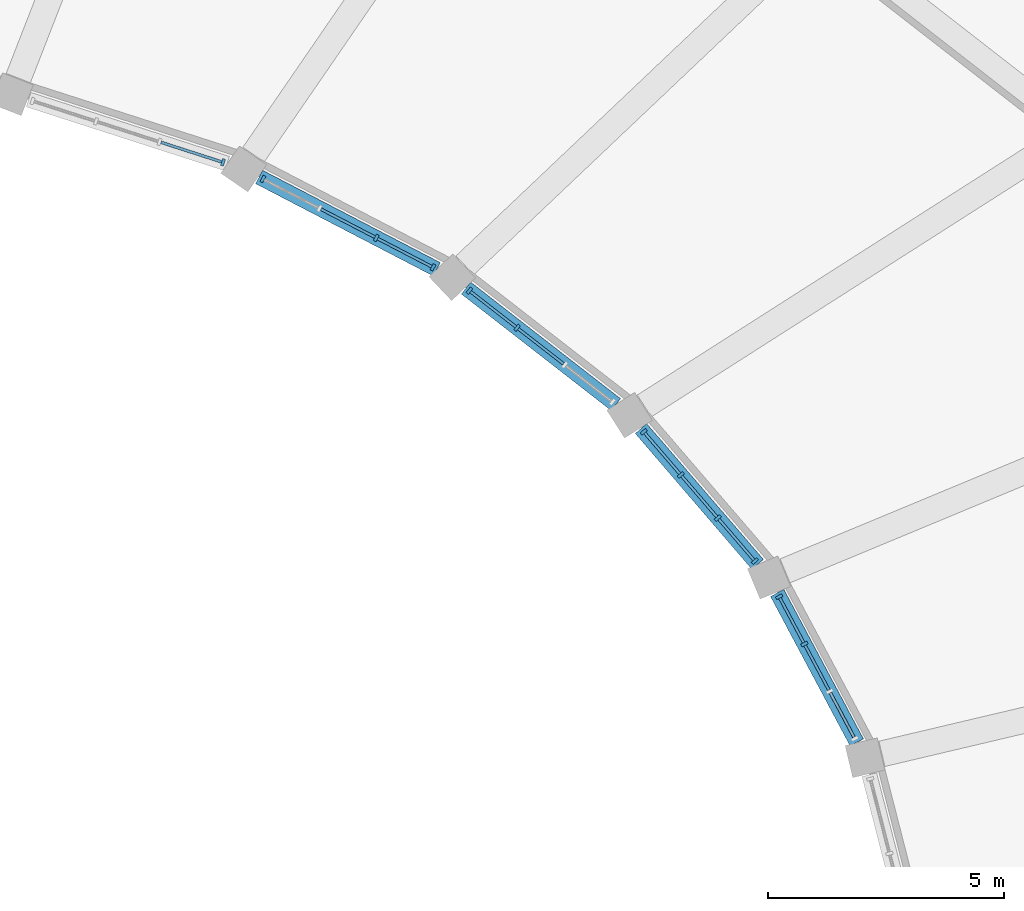
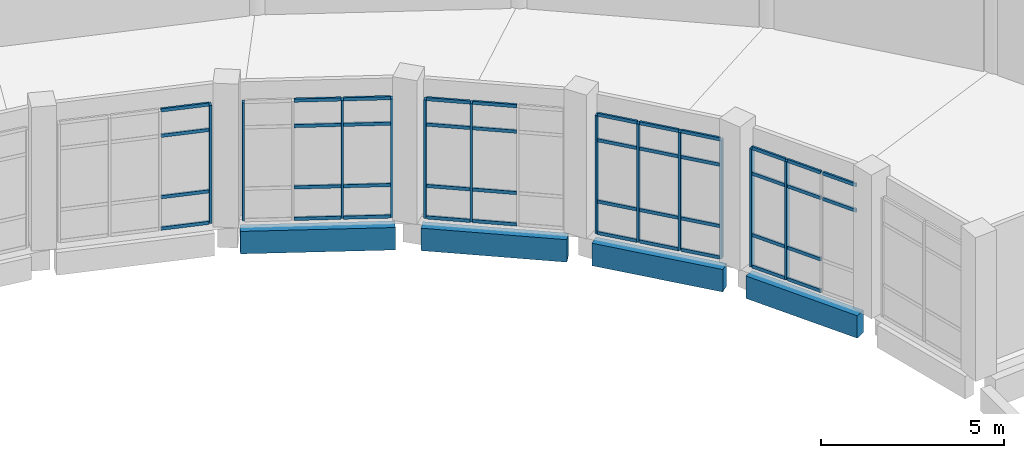
# One storey, part 43 of 179: 54 members, 4 beams, 5 elements without a shape of their own.
"""IFC4 building model written with IfcOpenShell, lengths in metres."""

import ifcopenshell
import ifcopenshell.guid

model = None  # the IFC model being written
_history = None  # IfcOwnerHistory: only IFC2X3 demands one
_inside = {}  # id of a spatial element -> (the spatial element, [elements in it])
_under = {}  # id of a project, library or spatial element -> (it, [spatial elements below it])
_declared = {}  # id of a project -> (the project, [libraries it declares])
_typed = {}  # id of a type object -> (the type object, [elements of that type])
_made_of = {}  # id of a material, layer set ... -> (it, [elements and type objects made of it])


def new_model(schema):
    """Start an empty IFC model of exactly this schema.

    Asked for "IFC4X3", IfcOpenShell would pick the latest addendum, in which some entities
    have other attributes; the version numbers below select the first issue.
    IFC2X3 requires an IfcOwnerHistory on every rooted entity: one is made here for all.
    """
    global model, _history
    if schema == "IFC4X3":
        model = ifcopenshell.file(schema_version=(4, 3, 0, 0))
    else:
        model = ifcopenshell.file(schema=schema)
    _inside.clear()
    _under.clear()
    _declared.clear()
    _typed.clear()
    _made_of.clear()
    _history = None
    if model.schema == "IFC2X3":
        org = make("IfcOrganization", Name="unknown")
        user = make(
            "IfcPersonAndOrganization",
            ThePerson=make("IfcPerson", FamilyName="unknown"),
            TheOrganization=org,
        )
        app = make(
            "IfcApplication",
            ApplicationDeveloper=org,
            Version="unknown",
            ApplicationFullName="unknown",
            ApplicationIdentifier="unknown",
        )
        _history = make(
            "IfcOwnerHistory",
            OwningUser=user,
            OwningApplication=app,
            ChangeAction="ADDED",
            CreationDate=0,
        )
    return model


def make(cls, **values):
    """One entity of the class cls with the attributes given. An attribute that is None is left unset."""
    return model.create_entity(
        cls, **{name: value for name, value in values.items() if value is not None}
    )


def rooted(cls, **values):
    """An entity with a GlobalId (a new one), such as an element, a storey or a relation."""
    return make(cls, GlobalId=ifcopenshell.guid.new(), OwnerHistory=_history, **values)


def si_unit(unit_type, name, prefix=None):
    """IfcSIUnit, for example si_unit("LENGTHUNIT", "METRE", prefix="MILLI")."""
    return make("IfcSIUnit", UnitType=unit_type, Prefix=prefix, Name=name)


def assignment(units):
    """IfcUnitAssignment: the units of a project."""
    return None if units is None else make("IfcUnitAssignment", Units=units)


def point(xyz):
    """IfcCartesianPoint."""
    return None if xyz is None else make("IfcCartesianPoint", Coordinates=xyz)


def direction(xyz):
    """IfcDirection."""
    return None if xyz is None else make("IfcDirection", DirectionRatios=xyz)


def frame(location, z_axis=None, x_axis=None):
    """IfcAxis2Placement3D, a coordinate frame: its origin and axes. An axis left out is left unset."""
    return make(
        "IfcAxis2Placement3D",
        Location=point(location),
        Axis=direction(z_axis),
        RefDirection=direction(x_axis),
    )


def frame_2d(location, x_axis=None):
    """IfcAxis2Placement2D, a coordinate frame in the plane: its origin and x axis."""
    return make(
        "IfcAxis2Placement2D", Location=point(location), RefDirection=direction(x_axis)
    )


def origin():
    """The frame at (0, 0, 0) with its axes left unset."""
    return frame((0.0, 0.0, 0.0))


def origin_2d():
    """The frame at (0, 0) in the plane with its x axis left unset."""
    return frame_2d((0.0, 0.0))


def place(relative_to, where):
    """IfcLocalPlacement: puts the frame where relative to a parent placement (None: the world)."""
    return make(
        "IfcLocalPlacement", PlacementRelTo=relative_to, RelativePlacement=where
    )


def context(
    kind, dimensions, precision=None, world=None, true_north=None, identifier=None
):
    """IfcGeometricRepresentationContext, for example the 3D "Model" context."""
    return make(
        "IfcGeometricRepresentationContext",
        ContextIdentifier=identifier,
        ContextType=kind,
        CoordinateSpaceDimension=dimensions,
        Precision=precision,
        WorldCoordinateSystem=world,
        TrueNorth=true_north,
    )


def subcontext(parent, identifier, kind, view, scale=None):
    """IfcGeometricRepresentationSubContext, for example "Body" below "Model"."""
    return make(
        "IfcGeometricRepresentationSubContext",
        ContextIdentifier=identifier,
        ContextType=kind,
        ParentContext=parent,
        TargetScale=scale,
        TargetView=view,
    )


def project(units=None, contexts=None):
    """IfcProject with its units and contexts."""
    return rooted(
        "IfcProject",
        Name="project",
        RepresentationContexts=contexts,
        UnitsInContext=assignment(units),
    )


def spatial(cls, under=None, at=None, **own):
    """A site, building, storey or space (cls), placed at a placement, below another one or the project."""
    s = rooted(cls, ObjectPlacement=at, **own)
    if under is not None:
        _under.setdefault(under.id(), (under, []))[1].append(s)
    return s


def profile(cls, at=None, kind="AREA", **sizes):
    """A parametric profile (cls). Its sizes go by their IFC names, for example OverallWidth=200.0."""
    return make(cls, ProfileType=kind, Position=at, **sizes)


def rectangle(**sizes):
    """IfcRectangleProfileDef."""
    return profile("IfcRectangleProfileDef", **sizes)


def extrude(swept, where, along, depth):
    """IfcExtrudedAreaSolid: the profile swept, set in the frame where, extruded along a direction by depth."""
    return make(
        "IfcExtrudedAreaSolid",
        SweptArea=swept,
        Position=where,
        ExtrudedDirection=direction(along),
        Depth=depth,
    )


def shape(context_of_items, identifier, shape_type, items):
    """IfcShapeRepresentation: the items that make up one representation, for example the "Body"."""
    return make(
        "IfcShapeRepresentation",
        ContextOfItems=context_of_items,
        RepresentationIdentifier=identifier,
        RepresentationType=shape_type,
        Items=items,
    )


def material(Name=None, Category=None):
    """IfcMaterial."""
    return make("IfcMaterial", Name=Name, Category=Category)


def layer(
    of_material, thickness, ventilated=None, Name=None, Category=None, Priority=None
):
    """IfcMaterialLayer: one layer of a wall or slab, of a material (None: an air gap)."""
    return make(
        "IfcMaterialLayer",
        Material=of_material,
        LayerThickness=thickness,
        IsVentilated=ventilated,
        Name=Name,
        Category=Category,
        Priority=Priority,
    )


def layer_set(layers, Name=None):
    """IfcMaterialLayerSet."""
    return make("IfcMaterialLayerSet", MaterialLayers=layers, LayerSetName=Name)


def material_profile(
    of_material, cross_section, Name=None, Category=None, Priority=None
):
    """IfcMaterialProfile: a cross section and its material."""
    return make(
        "IfcMaterialProfile",
        Name=Name,
        Material=of_material,
        Profile=cross_section,
        Priority=Priority,
        Category=Category,
    )


def profile_set(profiles, Name=None, composite=None):
    """IfcMaterialProfileSet."""
    return make(
        "IfcMaterialProfileSet",
        Name=Name,
        MaterialProfiles=profiles,
        CompositeProfile=composite,
    )


def made_of(thing, what):
    """Note that an element or type object is made of a material, layer set ...; save() writes the relation."""
    if what is not None:
        _made_of.setdefault(what.id(), (what, []))[1].append(thing)
    return thing


def type_object(cls, material=None, **own):
    """A type object (cls), such as IfcWallType, which elements share."""
    return made_of(rooted(cls, **own), material)


def element(
    cls,
    number,
    at=None,
    inside=None,
    cuts=None,
    type_object=None,
    material=None,
    context=None,
    identifier="Body",
    shape_type=None,
    held_by="IfcProductDefinitionShape",
    body=None,
    shapes=None,
    **own,
):
    """One element of the class cls, such as IfcWall. Its Tag is "e" and its number.

    at: its placement. inside: the storey or other place that contains it. cuts: it is an
    opening in that element (IfcRelVoidsElement). A single representation is given by context,
    identifier, shape_type and body (its items); several are given by shapes. held_by: the class
    of the entity that holds the representations. save() writes the other relations.
    """
    e = rooted(cls, Tag="e%d" % number, ObjectPlacement=at, **own)
    if body is not None:
        shapes = [shape(context, identifier, shape_type, body)]
    if shapes is not None:
        e.Representation = make(held_by, Representations=shapes)
    if inside is not None:
        _inside.setdefault(inside.id(), (inside, []))[1].append(e)
    if cuts is not None:
        rooted(
            "IfcRelVoidsElement", RelatingBuildingElement=cuts, RelatedOpeningElement=e
        )
    if type_object is not None:
        _typed.setdefault(type_object.id(), (type_object, []))[1].append(e)
    return made_of(e, material)


def aggregate(whole, parts):
    """IfcRelAggregates: a whole, such as a stair, and the parts it consists of."""
    return rooted("IfcRelAggregates", RelatingObject=whole, RelatedObjects=parts)


def save(model, path):
    """Write the relations noted so far, then the file.

    IfcRelAggregates (storeys below a building ...), IfcRelContainedInSpatialStructure (elements
    in a storey), IfcRelDefinesByType, IfcRelAssociatesMaterial and IfcRelDeclares: one each for
    every whole, place, type object, material and project.
    """
    for whole, parts in _under.values():
        aggregate(whole, parts)
    for where, things in _inside.values():
        rooted(
            "IfcRelContainedInSpatialStructure",
            RelatedElements=things,
            RelatingStructure=where,
        )
    for kind, things in _typed.values():
        rooted("IfcRelDefinesByType", RelatedObjects=things, RelatingType=kind)
    for what, things in _made_of.values():
        rooted("IfcRelAssociatesMaterial", RelatedObjects=things, RelatingMaterial=what)
    for by, libraries in _declared.values():
        rooted("IfcRelDeclares", RelatingContext=by, RelatedDefinitions=libraries)
    model.write(path)


model = new_model("IFC4")

# Units and contexts
model_context = context("Model", 3, precision=1e-05, world=origin(), true_north=direction((0.0, 1.0)))
body_context = subcontext(model_context, "Body", "Model", "MODEL_VIEW")
ifc_project = project(units=[si_unit("LENGTHUNIT", "METRE"), si_unit("AREAUNIT", "SQUARE_METRE"), si_unit("VOLUMEUNIT", "CUBIC_METRE"), si_unit("PLANEANGLEUNIT", "RADIAN"), si_unit("MASSUNIT", "GRAM", prefix="KILO")], contexts=[model_context])

# Site, building, storey
site_placement = place(None, origin())
site = spatial("IfcSite", under=ifc_project, at=site_placement, CompositionType="ELEMENT")
building_placement = place(site_placement, origin())
building = spatial("IfcBuilding", under=site, at=building_placement, Name="Corvandel Quay Wholesale Market", CompositionType="ELEMENT")
storey_placement = place(building_placement, frame((0.0, 0.0, 6.0)))
storey = spatial("IfcBuildingStorey", under=building, at=storey_placement, Name="L01", CompositionType="ELEMENT", Elevation=6.0)

# Curtain wall, members
ifc_material_1 = material(Name="Bronze anodised aluminium and low-E insulated glazing", Category="aluminium")
ifc_layer_1 = layer(ifc_material_1, 0.162109375)
ifc_layer_set_1 = layer_set([ifc_layer_1], Name="Bronze anodised aluminium and low-E insulated glazing")
curtain_wall_type_1 = type_object("IfcCurtainWallType", Name="Stick Curtain Wall System CW16 H4440", PredefinedType="NOTDEFINED", material=ifc_layer_set_1)
curtain_wall_1_placement = place(storey_placement, origin())
curtain_wall_1 = element("IfcCurtainWall", 1, at=curtain_wall_1_placement, inside=storey, type_object=curtain_wall_type_1, Name="Curtain Wall CW-0004", PredefinedType="NOTDEFINED")
ifc_material_2 = material(Name="Anodised aluminium 6063-T6", Category="aluminium")
ifc_material_profile_1 = material_profile(ifc_material_2, rectangle(XDim=0.06494140625, YDim=0.14990234375, at=origin_2d()), Name="ALU-MUL-65x150")
ifc_profile_set_1 = profile_set([ifc_material_profile_1], Name="Anodised aluminium 6063-T6")
member_type_1 = type_object("IfcMemberType", Name="Curtain Wall Mullion ML02 65x150", PredefinedType="MULLION", material=ifc_profile_set_1)
member_1_placement = place(storey_placement, frame((138.677490234375, 50.53759765625, 0.0), z_axis=(0.0, 0.0, 1.0), x_axis=(-0.469933808689, 0.882701657102, 0.0)))
member_1 = element("IfcMember", 2, at=member_1_placement, type_object=member_type_1, Name="Mullion CW-0004-M02", PredefinedType="MULLION", context=body_context, shape_type="SweptSolid", body=[
    extrude(rectangle(XDim=0.06494140625, YDim=0.14990234375, at=origin_2d()), origin(), (0.0, 0.0, 1.0), 3.949951171875),
])
member_2_placement = place(storey_placement, frame((138.143310546875, 51.541015625, 0.0), z_axis=(0.0, 0.0, 1.0), x_axis=(-0.469933808689, 0.882701657102, 0.0)))
member_2 = element("IfcMember", 3, at=member_2_placement, type_object=member_type_1, Name="Mullion CW-0004-M03", PredefinedType="MULLION", context=body_context, shape_type="SweptSolid", body=[
    extrude(rectangle(XDim=0.06494140625, YDim=0.14990234375, at=origin_2d()), origin(), (0.0, 0.0, 1.0), 3.949951171875),
])

ifc_layer_2 = layer(ifc_material_1, 0.174072265625)
ifc_layer_set_2 = layer_set([ifc_layer_2], Name="Bronze anodised aluminium and low-E insulated glazing")
curtain_wall_type_2 = type_object("IfcCurtainWallType", Name="Stick Curtain Wall System CW17 H4530", PredefinedType="NOTDEFINED", material=ifc_layer_set_2)
curtain_wall_2_placement = place(storey_placement, origin())
curtain_wall_2 = element("IfcCurtainWall", 4, at=curtain_wall_2_placement, inside=storey, type_object=curtain_wall_type_2, Name="Curtain Wall CW-0007", PredefinedType="NOTDEFINED")
member_3_placement = place(storey_placement, frame((137.627197265625, 52.2958984375, 0.0), z_axis=(0.0, 0.0, 1.0), x_axis=(-0.651568967347, 0.758589401976, 0.0)))
member_3 = element("IfcMember", 5, at=member_3_placement, type_object=member_type_1, Name="Mullion CW-0007-M00", PredefinedType="MULLION", context=body_context, shape_type="SweptSolid", body=[
    extrude(rectangle(XDim=0.06494140625, YDim=0.14990234375, at=origin_2d()), origin(), (0.0, 0.0, 1.0), 3.949951171875),
])
member_4_placement = place(storey_placement, frame((136.842041015625, 53.2099609375, 0.0), z_axis=(0.0, 0.0, 1.0), x_axis=(-0.651568967347, 0.758589401976, 0.0)))
member_4 = element("IfcMember", 6, at=member_4_placement, type_object=member_type_1, Name="Mullion CW-0007-M01", PredefinedType="MULLION", context=body_context, shape_type="SweptSolid", body=[
    extrude(rectangle(XDim=0.06494140625, YDim=0.14990234375, at=origin_2d()), origin(), (0.0, 0.0, 1.0), 3.949951171875),
])
member_5_placement = place(storey_placement, frame((136.056884765625, 54.1240234375, 0.0), z_axis=(0.0, 0.0, 1.0), x_axis=(-0.651568967347, 0.758589401976, 0.0)))
member_5 = element("IfcMember", 7, at=member_5_placement, type_object=member_type_1, Name="Mullion CW-0007-M02", PredefinedType="MULLION", context=body_context, shape_type="SweptSolid", body=[
    extrude(rectangle(XDim=0.06494140625, YDim=0.14990234375, at=origin_2d()), origin(), (0.0, 0.0, 1.0), 3.949951171875),
])
member_6_placement = place(storey_placement, frame((135.271728515625, 55.0380859375, 0.0), z_axis=(0.0, 0.0, 1.0), x_axis=(-0.651568967347, 0.758589401976, 0.0)))
member_6 = element("IfcMember", 8, at=member_6_placement, type_object=member_type_1, Name="Mullion CW-0007-M03", PredefinedType="MULLION", context=body_context, shape_type="SweptSolid", body=[
    extrude(rectangle(XDim=0.06494140625, YDim=0.14990234375, at=origin_2d()), origin(), (0.0, 0.0, 1.0), 3.949951171875),
])

ifc_layer_3 = layer(ifc_material_1, 0.18603515625)
ifc_layer_set_3 = layer_set([ifc_layer_3], Name="Bronze anodised aluminium and low-E insulated glazing")
curtain_wall_type_3 = type_object("IfcCurtainWallType", Name="Stick Curtain Wall System CW18 H4620", PredefinedType="NOTDEFINED", material=ifc_layer_set_3)
curtain_wall_3_placement = place(storey_placement, origin())
curtain_wall_3 = element("IfcCurtainWall", 9, at=curtain_wall_3_placement, inside=storey, type_object=curtain_wall_type_3, Name="Curtain Wall CW-0010", PredefinedType="NOTDEFINED")
member_7_placement = place(storey_placement, frame((132.585693359375, 57.242919921875, 0.0), z_axis=(0.0, 0.0, 1.0), x_axis=(-0.789405615633, 0.613871952452, 0.0)))
member_7 = element("IfcMember", 10, at=member_7_placement, type_object=member_type_1, Name="Mullion CW-0010-M02", PredefinedType="MULLION", context=body_context, shape_type="SweptSolid", body=[
    extrude(rectangle(XDim=0.06494140625, YDim=0.14990234375, at=origin_2d()), origin(), (0.0, 0.0, 1.0), 3.949951171875),
])
member_8_placement = place(storey_placement, frame((131.57421875, 58.029541015625, 0.0), z_axis=(0.0, 0.0, 1.0), x_axis=(-0.789405615633, 0.613871952452, 0.0)))
member_8 = element("IfcMember", 11, at=member_8_placement, type_object=member_type_1, Name="Mullion CW-0010-M03", PredefinedType="MULLION", context=body_context, shape_type="SweptSolid", body=[
    extrude(rectangle(XDim=0.06494140625, YDim=0.14990234375, at=origin_2d()), origin(), (0.0, 0.0, 1.0), 3.949951171875),
])

ifc_layer_4 = layer(ifc_material_1, 0.197998046875)
ifc_layer_set_4 = layer_set([ifc_layer_4], Name="Bronze anodised aluminium and low-E insulated glazing")
curtain_wall_type_4 = type_object("IfcCurtainWallType", Name="Stick Curtain Wall System CW19 H4710", PredefinedType="NOTDEFINED", material=ifc_layer_set_4)
curtain_wall_4_placement = place(storey_placement, origin())
curtain_wall_4 = element("IfcCurtainWall", 12, at=curtain_wall_4_placement, inside=storey, type_object=curtain_wall_type_4, Name="Curtain Wall CW-0014", PredefinedType="NOTDEFINED")
member_9_placement = place(storey_placement, frame((130.802734375, 58.524169921875, 0.0), z_axis=(0.0, 0.0, 1.0), x_axis=(-0.887332978338, 0.461129250378, 0.0)))
member_9 = element("IfcMember", 13, at=member_9_placement, type_object=member_type_1, Name="Mullion CW-0014-M00", PredefinedType="MULLION", context=body_context, shape_type="SweptSolid", body=[
    extrude(rectangle(XDim=0.06494140625, YDim=0.14990234375, at=origin_2d()), origin(), (0.0, 0.0, 1.0), 3.949951171875),
])
member_10_placement = place(storey_placement, frame((129.600830078125, 59.148681640625, 0.0), z_axis=(0.0, 0.0, 1.0), x_axis=(-0.887332978338, 0.461129250378, 0.0)))
member_10 = element("IfcMember", 14, at=member_10_placement, type_object=member_type_1, Name="Mullion CW-0014-M01", PredefinedType="MULLION", context=body_context, shape_type="SweptSolid", body=[
    extrude(rectangle(XDim=0.06494140625, YDim=0.14990234375, at=origin_2d()), origin(), (0.0, 0.0, 1.0), 3.949951171875),
])
member_11_placement = place(storey_placement, frame((127.197265625, 60.39794921875, 0.0), z_axis=(0.0, 0.0, 1.0), x_axis=(-0.887332978338, 0.461129250378, 0.0)))
member_11 = element("IfcMember", 15, at=member_11_placement, type_object=member_type_1, Name="Mullion CW-0014-M03", PredefinedType="MULLION", context=body_context, shape_type="SweptSolid", body=[
    extrude(rectangle(XDim=0.06494140625, YDim=0.14990234375, at=origin_2d()), origin(), (0.0, 0.0, 1.0), 3.949951171875),
])

# Curtain wall, member
ifc_layer_5 = layer(ifc_material_1, 0.14990234375)
ifc_layer_set_5 = layer_set([ifc_layer_5], Name="Bronze anodised aluminium and low-E insulated glazing")
curtain_wall_type_5 = type_object("IfcCurtainWallType", Name="Stick Curtain Wall System CW20 H4800", PredefinedType="NOTDEFINED", material=ifc_layer_set_5)
curtain_wall_5_placement = place(storey_placement, origin())
curtain_wall_5 = element("IfcCurtainWall", 16, at=curtain_wall_5_placement, inside=storey, type_object=curtain_wall_type_5, Name="Curtain Wall CW-0016", PredefinedType="NOTDEFINED")
member_12_placement = place(storey_placement, frame((126.351318359375, 60.751220703125, 0.0), z_axis=(0.0, 0.0, 1.0), x_axis=(-0.951808747363, 0.306692204733, 0.0)))
member_12 = element("IfcMember", 17, at=member_12_placement, type_object=member_type_1, Name="Mullion CW-0016-M00", PredefinedType="MULLION", context=body_context, shape_type="SweptSolid", body=[
    extrude(rectangle(XDim=0.06494140625, YDim=0.14990234375, at=origin_2d()), origin(), (0.0, 0.0, 1.0), 3.949951171875),
])

# Member
ifc_material_profile_2 = material_profile(ifc_material_2, rectangle(XDim=0.06005859375, YDim=0.110107421875, at=origin_2d()), Name="ALU-TRN-60x110")
ifc_profile_set_2 = profile_set([ifc_material_profile_2], Name="Anodised aluminium 6063-T6")
member_type_2 = type_object("IfcMemberType", Name="Curtain Wall Transom TR02 60x110", PredefinedType="USERDEFINED", material=ifc_profile_set_2)
member_13_placement = place(storey_placement, frame((139.73046875, 48.559814453125, 3.10009765625), z_axis=(-0.470032340341, 0.88264919364, 0.0), x_axis=(-0.88264919364, -0.470032340341, 0.0)))
member_13 = element("IfcMember", 18, at=member_13_placement, type_object=member_type_2, Name="Transom CW-0004-T00-2", ObjectType="TRANSOM", PredefinedType="USERDEFINED", context=body_context, shape_type="SweptSolid", body=[
    extrude(rectangle(XDim=0.06005859375, YDim=0.110107421875, at=origin_2d()), origin(), (0.0, 0.0, 1.0), 1.071533203125),
])

member_14_placement = place(storey_placement, frame((139.73046875, 48.559814453125, 3.949951171875), z_axis=(-0.470032340341, 0.88264919364, 0.0), x_axis=(-0.88264919364, -0.470032340341, 0.0)))
member_14 = element("IfcMember", 19, at=member_14_placement, type_object=member_type_2, Name="Transom CW-0004-T00-3", ObjectType="TRANSOM", PredefinedType="USERDEFINED", context=body_context, shape_type="SweptSolid", body=[
    extrude(rectangle(XDim=0.06005859375, YDim=0.110107421875, at=origin_2d()), origin(), (0.0, 0.0, 1.0), 1.071533203125),
])

member_15_placement = place(storey_placement, frame((139.1962890625, 49.56298828125, 0.0), z_axis=(-0.470032340341, 0.88264919364, 0.0), x_axis=(-0.88264919364, -0.470032340341, 0.0)))
member_15 = element("IfcMember", 20, at=member_15_placement, type_object=member_type_2, Name="Transom CW-0004-T01-0", ObjectType="TRANSOM", PredefinedType="USERDEFINED", context=body_context, shape_type="SweptSolid", body=[
    extrude(rectangle(XDim=0.06005859375, YDim=0.110107421875, at=origin_2d()), origin(), (0.0, 0.0, 1.0), 1.071533203125),
])

member_16_placement = place(storey_placement, frame((139.1962890625, 49.56298828125, 1.050048828125), z_axis=(-0.470032340341, 0.88264919364, 0.0), x_axis=(-0.88264919364, -0.470032340341, 0.0)))
member_16 = element("IfcMember", 21, at=member_16_placement, type_object=member_type_2, Name="Transom CW-0004-T01-1", ObjectType="TRANSOM", PredefinedType="USERDEFINED", context=body_context, shape_type="SweptSolid", body=[
    extrude(rectangle(XDim=0.06005859375, YDim=0.110107421875, at=origin_2d()), origin(), (0.0, 0.0, 1.0), 1.071533203125),
])

member_17_placement = place(storey_placement, frame((139.1962890625, 49.56298828125, 3.10009765625), z_axis=(-0.470032340341, 0.88264919364, 0.0), x_axis=(-0.88264919364, -0.470032340341, 0.0)))
member_17 = element("IfcMember", 22, at=member_17_placement, type_object=member_type_2, Name="Transom CW-0004-T01-2", ObjectType="TRANSOM", PredefinedType="USERDEFINED", context=body_context, shape_type="SweptSolid", body=[
    extrude(rectangle(XDim=0.06005859375, YDim=0.110107421875, at=origin_2d()), origin(), (0.0, 0.0, 1.0), 1.071533203125),
])

member_18_placement = place(storey_placement, frame((139.1962890625, 49.56298828125, 3.949951171875), z_axis=(-0.470032340341, 0.88264919364, 0.0), x_axis=(-0.88264919364, -0.470032340341, 0.0)))
member_18 = element("IfcMember", 23, at=member_18_placement, type_object=member_type_2, Name="Transom CW-0004-T01-3", ObjectType="TRANSOM", PredefinedType="USERDEFINED", context=body_context, shape_type="SweptSolid", body=[
    extrude(rectangle(XDim=0.06005859375, YDim=0.110107421875, at=origin_2d()), origin(), (0.0, 0.0, 1.0), 1.071533203125),
])

member_19_placement = place(storey_placement, frame((138.662109375, 50.56640625, 0.0), z_axis=(-0.470032340341, 0.88264919364, 0.0), x_axis=(-0.88264919364, -0.470032340341, 0.0)))
member_19 = element("IfcMember", 24, at=member_19_placement, type_object=member_type_2, Name="Transom CW-0004-T02-0", ObjectType="TRANSOM", PredefinedType="USERDEFINED", context=body_context, shape_type="SweptSolid", body=[
    extrude(rectangle(XDim=0.06005859375, YDim=0.110107421875, at=origin_2d()), origin(), (0.0, 0.0, 1.0), 1.071533203125),
])

member_20_placement = place(storey_placement, frame((138.662109375, 50.56640625, 1.050048828125), z_axis=(-0.470032340341, 0.88264919364, 0.0), x_axis=(-0.88264919364, -0.470032340341, 0.0)))
member_20 = element("IfcMember", 25, at=member_20_placement, type_object=member_type_2, Name="Transom CW-0004-T02-1", ObjectType="TRANSOM", PredefinedType="USERDEFINED", context=body_context, shape_type="SweptSolid", body=[
    extrude(rectangle(XDim=0.06005859375, YDim=0.110107421875, at=origin_2d()), origin(), (0.0, 0.0, 1.0), 1.071533203125),
])

member_21_placement = place(storey_placement, frame((138.662109375, 50.56640625, 3.10009765625), z_axis=(-0.470032340341, 0.88264919364, 0.0), x_axis=(-0.88264919364, -0.470032340341, 0.0)))
member_21 = element("IfcMember", 26, at=member_21_placement, type_object=member_type_2, Name="Transom CW-0004-T02-2", ObjectType="TRANSOM", PredefinedType="USERDEFINED", context=body_context, shape_type="SweptSolid", body=[
    extrude(rectangle(XDim=0.06005859375, YDim=0.110107421875, at=origin_2d()), origin(), (0.0, 0.0, 1.0), 1.071533203125),
])

member_22_placement = place(storey_placement, frame((138.662109375, 50.56640625, 3.949951171875), z_axis=(-0.470032340341, 0.88264919364, 0.0), x_axis=(-0.88264919364, -0.470032340341, 0.0)))
member_22 = element("IfcMember", 27, at=member_22_placement, type_object=member_type_2, Name="Transom CW-0004-T02-3", ObjectType="TRANSOM", PredefinedType="USERDEFINED", context=body_context, shape_type="SweptSolid", body=[
    extrude(rectangle(XDim=0.06005859375, YDim=0.110107421875, at=origin_2d()), origin(), (0.0, 0.0, 1.0), 1.071533203125),
])

aggregate(curtain_wall_1, [member_1, member_2, member_13, member_14, member_15, member_16, member_17, member_18, member_19, member_20, member_21, member_22])

member_23_placement = place(storey_placement, frame((137.60595703125, 52.320556640625, 0.0), z_axis=(-0.651531870311, 0.758621263853, 0.0), x_axis=(-0.758621263853, -0.651531870311, 0.0)))
member_23 = element("IfcMember", 28, at=member_23_placement, type_object=member_type_2, Name="Transom CW-0007-T00-0", ObjectType="TRANSOM", PredefinedType="USERDEFINED", context=body_context, shape_type="SweptSolid", body=[
    extrude(rectangle(XDim=0.06005859375, YDim=0.110107421875, at=origin_2d()), origin(), (0.0, 0.0, 1.0), 1.139892578125),
])

member_24_placement = place(storey_placement, frame((137.60595703125, 52.320556640625, 1.050048828125), z_axis=(-0.651531870311, 0.758621263853, 0.0), x_axis=(-0.758621263853, -0.651531870311, 0.0)))
member_24 = element("IfcMember", 29, at=member_24_placement, type_object=member_type_2, Name="Transom CW-0007-T00-1", ObjectType="TRANSOM", PredefinedType="USERDEFINED", context=body_context, shape_type="SweptSolid", body=[
    extrude(rectangle(XDim=0.06005859375, YDim=0.110107421875, at=origin_2d()), origin(), (0.0, 0.0, 1.0), 1.139892578125),
])

member_25_placement = place(storey_placement, frame((137.60595703125, 52.320556640625, 3.10009765625), z_axis=(-0.651531870311, 0.758621263853, 0.0), x_axis=(-0.758621263853, -0.651531870311, 0.0)))
member_25 = element("IfcMember", 30, at=member_25_placement, type_object=member_type_2, Name="Transom CW-0007-T00-2", ObjectType="TRANSOM", PredefinedType="USERDEFINED", context=body_context, shape_type="SweptSolid", body=[
    extrude(rectangle(XDim=0.06005859375, YDim=0.110107421875, at=origin_2d()), origin(), (0.0, 0.0, 1.0), 1.139892578125),
])

member_26_placement = place(storey_placement, frame((137.60595703125, 52.320556640625, 3.949951171875), z_axis=(-0.651531870311, 0.758621263853, 0.0), x_axis=(-0.758621263853, -0.651531870311, 0.0)))
member_26 = element("IfcMember", 31, at=member_26_placement, type_object=member_type_2, Name="Transom CW-0007-T00-3", ObjectType="TRANSOM", PredefinedType="USERDEFINED", context=body_context, shape_type="SweptSolid", body=[
    extrude(rectangle(XDim=0.06005859375, YDim=0.110107421875, at=origin_2d()), origin(), (0.0, 0.0, 1.0), 1.139892578125),
])

member_27_placement = place(storey_placement, frame((136.82080078125, 53.234619140625, 0.0), z_axis=(-0.651531870311, 0.758621263853, 0.0), x_axis=(-0.758621263853, -0.651531870311, 0.0)))
member_27 = element("IfcMember", 32, at=member_27_placement, type_object=member_type_2, Name="Transom CW-0007-T01-0", ObjectType="TRANSOM", PredefinedType="USERDEFINED", context=body_context, shape_type="SweptSolid", body=[
    extrude(rectangle(XDim=0.06005859375, YDim=0.110107421875, at=origin_2d()), origin(), (0.0, 0.0, 1.0), 1.139892578125),
])

member_28_placement = place(storey_placement, frame((136.82080078125, 53.234619140625, 1.050048828125), z_axis=(-0.651531870311, 0.758621263853, 0.0), x_axis=(-0.758621263853, -0.651531870311, 0.0)))
member_28 = element("IfcMember", 33, at=member_28_placement, type_object=member_type_2, Name="Transom CW-0007-T01-1", ObjectType="TRANSOM", PredefinedType="USERDEFINED", context=body_context, shape_type="SweptSolid", body=[
    extrude(rectangle(XDim=0.06005859375, YDim=0.110107421875, at=origin_2d()), origin(), (0.0, 0.0, 1.0), 1.139892578125),
])

member_29_placement = place(storey_placement, frame((136.82080078125, 53.234619140625, 3.10009765625), z_axis=(-0.651531870311, 0.758621263853, 0.0), x_axis=(-0.758621263853, -0.651531870311, 0.0)))
member_29 = element("IfcMember", 34, at=member_29_placement, type_object=member_type_2, Name="Transom CW-0007-T01-2", ObjectType="TRANSOM", PredefinedType="USERDEFINED", context=body_context, shape_type="SweptSolid", body=[
    extrude(rectangle(XDim=0.06005859375, YDim=0.110107421875, at=origin_2d()), origin(), (0.0, 0.0, 1.0), 1.139892578125),
])

member_30_placement = place(storey_placement, frame((136.82080078125, 53.234619140625, 3.949951171875), z_axis=(-0.651531870311, 0.758621263853, 0.0), x_axis=(-0.758621263853, -0.651531870311, 0.0)))
member_30 = element("IfcMember", 35, at=member_30_placement, type_object=member_type_2, Name="Transom CW-0007-T01-3", ObjectType="TRANSOM", PredefinedType="USERDEFINED", context=body_context, shape_type="SweptSolid", body=[
    extrude(rectangle(XDim=0.06005859375, YDim=0.110107421875, at=origin_2d()), origin(), (0.0, 0.0, 1.0), 1.139892578125),
])

member_31_placement = place(storey_placement, frame((136.035888671875, 54.148681640625, 0.0), z_axis=(-0.651655105738, 0.758515407336, 0.0), x_axis=(-0.758515407336, -0.651655105738, 0.0)))
member_31 = element("IfcMember", 36, at=member_31_placement, type_object=member_type_2, Name="Transom CW-0007-T02-0", ObjectType="TRANSOM", PredefinedType="USERDEFINED", context=body_context, shape_type="SweptSolid", body=[
    extrude(rectangle(XDim=0.06005859375, YDim=0.110107421875, at=origin_2d()), origin(), (0.0, 0.0, 1.0), 1.14013671875),
])

member_32_placement = place(storey_placement, frame((136.035888671875, 54.148681640625, 1.050048828125), z_axis=(-0.651655105738, 0.758515407336, 0.0), x_axis=(-0.758515407336, -0.651655105738, 0.0)))
member_32 = element("IfcMember", 37, at=member_32_placement, type_object=member_type_2, Name="Transom CW-0007-T02-1", ObjectType="TRANSOM", PredefinedType="USERDEFINED", context=body_context, shape_type="SweptSolid", body=[
    extrude(rectangle(XDim=0.06005859375, YDim=0.110107421875, at=origin_2d()), origin(), (0.0, 0.0, 1.0), 1.14013671875),
])

member_33_placement = place(storey_placement, frame((136.035888671875, 54.148681640625, 3.10009765625), z_axis=(-0.651655105738, 0.758515407336, 0.0), x_axis=(-0.758515407336, -0.651655105738, 0.0)))
member_33 = element("IfcMember", 38, at=member_33_placement, type_object=member_type_2, Name="Transom CW-0007-T02-2", ObjectType="TRANSOM", PredefinedType="USERDEFINED", context=body_context, shape_type="SweptSolid", body=[
    extrude(rectangle(XDim=0.06005859375, YDim=0.110107421875, at=origin_2d()), origin(), (0.0, 0.0, 1.0), 1.14013671875),
])

member_34_placement = place(storey_placement, frame((136.035888671875, 54.148681640625, 3.949951171875), z_axis=(-0.651655105738, 0.758515407336, 0.0), x_axis=(-0.758515407336, -0.651655105738, 0.0)))
member_34 = element("IfcMember", 39, at=member_34_placement, type_object=member_type_2, Name="Transom CW-0007-T02-3", ObjectType="TRANSOM", PredefinedType="USERDEFINED", context=body_context, shape_type="SweptSolid", body=[
    extrude(rectangle(XDim=0.06005859375, YDim=0.110107421875, at=origin_2d()), origin(), (0.0, 0.0, 1.0), 1.14013671875),
])

aggregate(curtain_wall_2, [member_3, member_4, member_5, member_6, member_23, member_24, member_25, member_26, member_27, member_28, member_29, member_30, member_31, member_32, member_33, member_34])

member_35_placement = place(storey_placement, frame((133.571533203125, 56.47607421875, 0.0), z_axis=(-0.789352217376, 0.613940613515, 0.0), x_axis=(-0.613940613515, -0.789352217376, 0.0)))
member_35 = element("IfcMember", 40, at=member_35_placement, type_object=member_type_2, Name="Transom CW-0010-T01-0", ObjectType="TRANSOM", PredefinedType="USERDEFINED", context=body_context, shape_type="SweptSolid", body=[
    extrude(rectangle(XDim=0.06005859375, YDim=0.110107421875, at=origin_2d()), origin(), (0.0, 0.0, 1.0), 1.216552734375),
])

member_36_placement = place(storey_placement, frame((133.571533203125, 56.47607421875, 1.050048828125), z_axis=(-0.789352217376, 0.613940613515, 0.0), x_axis=(-0.613940613515, -0.789352217376, 0.0)))
member_36 = element("IfcMember", 41, at=member_36_placement, type_object=member_type_2, Name="Transom CW-0010-T01-1", ObjectType="TRANSOM", PredefinedType="USERDEFINED", context=body_context, shape_type="SweptSolid", body=[
    extrude(rectangle(XDim=0.06005859375, YDim=0.110107421875, at=origin_2d()), origin(), (0.0, 0.0, 1.0), 1.216552734375),
])

member_37_placement = place(storey_placement, frame((133.571533203125, 56.47607421875, 3.10009765625), z_axis=(-0.789352217376, 0.613940613515, 0.0), x_axis=(-0.613940613515, -0.789352217376, 0.0)))
member_37 = element("IfcMember", 42, at=member_37_placement, type_object=member_type_2, Name="Transom CW-0010-T01-2", ObjectType="TRANSOM", PredefinedType="USERDEFINED", context=body_context, shape_type="SweptSolid", body=[
    extrude(rectangle(XDim=0.06005859375, YDim=0.110107421875, at=origin_2d()), origin(), (0.0, 0.0, 1.0), 1.216552734375),
])

member_38_placement = place(storey_placement, frame((133.571533203125, 56.47607421875, 3.949951171875), z_axis=(-0.789352217376, 0.613940613515, 0.0), x_axis=(-0.613940613515, -0.789352217376, 0.0)))
member_38 = element("IfcMember", 43, at=member_38_placement, type_object=member_type_2, Name="Transom CW-0010-T01-3", ObjectType="TRANSOM", PredefinedType="USERDEFINED", context=body_context, shape_type="SweptSolid", body=[
    extrude(rectangle(XDim=0.06005859375, YDim=0.110107421875, at=origin_2d()), origin(), (0.0, 0.0, 1.0), 1.216552734375),
])

member_39_placement = place(storey_placement, frame((132.56005859375, 57.2626953125, 0.0), z_axis=(-0.789352217376, 0.613940613515, 0.0), x_axis=(-0.613940613515, -0.789352217376, 0.0)))
member_39 = element("IfcMember", 44, at=member_39_placement, type_object=member_type_2, Name="Transom CW-0010-T02-0", ObjectType="TRANSOM", PredefinedType="USERDEFINED", context=body_context, shape_type="SweptSolid", body=[
    extrude(rectangle(XDim=0.06005859375, YDim=0.110107421875, at=origin_2d()), origin(), (0.0, 0.0, 1.0), 1.216552734375),
])

member_40_placement = place(storey_placement, frame((132.56005859375, 57.2626953125, 1.050048828125), z_axis=(-0.789352217376, 0.613940613515, 0.0), x_axis=(-0.613940613515, -0.789352217376, 0.0)))
member_40 = element("IfcMember", 45, at=member_40_placement, type_object=member_type_2, Name="Transom CW-0010-T02-1", ObjectType="TRANSOM", PredefinedType="USERDEFINED", context=body_context, shape_type="SweptSolid", body=[
    extrude(rectangle(XDim=0.06005859375, YDim=0.110107421875, at=origin_2d()), origin(), (0.0, 0.0, 1.0), 1.216552734375),
])

member_41_placement = place(storey_placement, frame((132.56005859375, 57.2626953125, 3.10009765625), z_axis=(-0.789352217376, 0.613940613515, 0.0), x_axis=(-0.613940613515, -0.789352217376, 0.0)))
member_41 = element("IfcMember", 46, at=member_41_placement, type_object=member_type_2, Name="Transom CW-0010-T02-2", ObjectType="TRANSOM", PredefinedType="USERDEFINED", context=body_context, shape_type="SweptSolid", body=[
    extrude(rectangle(XDim=0.06005859375, YDim=0.110107421875, at=origin_2d()), origin(), (0.0, 0.0, 1.0), 1.216552734375),
])

member_42_placement = place(storey_placement, frame((132.56005859375, 57.2626953125, 3.949951171875), z_axis=(-0.789352217376, 0.613940613515, 0.0), x_axis=(-0.613940613515, -0.789352217376, 0.0)))
member_42 = element("IfcMember", 47, at=member_42_placement, type_object=member_type_2, Name="Transom CW-0010-T02-3", ObjectType="TRANSOM", PredefinedType="USERDEFINED", context=body_context, shape_type="SweptSolid", body=[
    extrude(rectangle(XDim=0.06005859375, YDim=0.110107421875, at=origin_2d()), origin(), (0.0, 0.0, 1.0), 1.216552734375),
])

aggregate(curtain_wall_3, [member_7, member_8, member_35, member_36, member_37, member_38, member_39, member_40, member_41, member_42])

member_43_placement = place(storey_placement, frame((130.77392578125, 58.5390625, 0.0), z_axis=(-0.887272596793, 0.461245421636, 0.0), x_axis=(-0.461245421636, -0.887272596793, 0.0)))
member_43 = element("IfcMember", 48, at=member_43_placement, type_object=member_type_2, Name="Transom CW-0014-T00-0", ObjectType="TRANSOM", PredefinedType="USERDEFINED", context=body_context, shape_type="SweptSolid", body=[
    extrude(rectangle(XDim=0.06005859375, YDim=0.110107421875, at=origin_2d()), origin(), (0.0, 0.0, 1.0), 1.289306640625),
])

member_44_placement = place(storey_placement, frame((130.77392578125, 58.5390625, 1.050048828125), z_axis=(-0.887272596793, 0.461245421636, 0.0), x_axis=(-0.461245421636, -0.887272596793, 0.0)))
member_44 = element("IfcMember", 49, at=member_44_placement, type_object=member_type_2, Name="Transom CW-0014-T00-1", ObjectType="TRANSOM", PredefinedType="USERDEFINED", context=body_context, shape_type="SweptSolid", body=[
    extrude(rectangle(XDim=0.06005859375, YDim=0.110107421875, at=origin_2d()), origin(), (0.0, 0.0, 1.0), 1.289306640625),
])

member_45_placement = place(storey_placement, frame((130.77392578125, 58.5390625, 3.10009765625), z_axis=(-0.887272596793, 0.461245421636, 0.0), x_axis=(-0.461245421636, -0.887272596793, 0.0)))
member_45 = element("IfcMember", 50, at=member_45_placement, type_object=member_type_2, Name="Transom CW-0014-T00-2", ObjectType="TRANSOM", PredefinedType="USERDEFINED", context=body_context, shape_type="SweptSolid", body=[
    extrude(rectangle(XDim=0.06005859375, YDim=0.110107421875, at=origin_2d()), origin(), (0.0, 0.0, 1.0), 1.289306640625),
])

member_46_placement = place(storey_placement, frame((130.77392578125, 58.5390625, 3.949951171875), z_axis=(-0.887272596793, 0.461245421636, 0.0), x_axis=(-0.461245421636, -0.887272596793, 0.0)))
member_46 = element("IfcMember", 51, at=member_46_placement, type_object=member_type_2, Name="Transom CW-0014-T00-3", ObjectType="TRANSOM", PredefinedType="USERDEFINED", context=body_context, shape_type="SweptSolid", body=[
    extrude(rectangle(XDim=0.06005859375, YDim=0.110107421875, at=origin_2d()), origin(), (0.0, 0.0, 1.0), 1.289306640625),
])

member_47_placement = place(storey_placement, frame((129.572021484375, 59.163818359375, 0.0), z_axis=(-0.887350080726, 0.46109633943, 0.0), x_axis=(-0.46109633943, -0.887350080726, 0.0)))
member_47 = element("IfcMember", 52, at=member_47_placement, type_object=member_type_2, Name="Transom CW-0014-T01-0", ObjectType="TRANSOM", PredefinedType="USERDEFINED", context=body_context, shape_type="SweptSolid", body=[
    extrude(rectangle(XDim=0.06005859375, YDim=0.110107421875, at=origin_2d()), origin(), (0.0, 0.0, 1.0), 1.289306640625),
])

member_48_placement = place(storey_placement, frame((129.572021484375, 59.163818359375, 1.050048828125), z_axis=(-0.887350080726, 0.46109633943, 0.0), x_axis=(-0.46109633943, -0.887350080726, 0.0)))
member_48 = element("IfcMember", 53, at=member_48_placement, type_object=member_type_2, Name="Transom CW-0014-T01-1", ObjectType="TRANSOM", PredefinedType="USERDEFINED", context=body_context, shape_type="SweptSolid", body=[
    extrude(rectangle(XDim=0.06005859375, YDim=0.110107421875, at=origin_2d()), origin(), (0.0, 0.0, 1.0), 1.289306640625),
])

member_49_placement = place(storey_placement, frame((129.572021484375, 59.163818359375, 3.10009765625), z_axis=(-0.887350080726, 0.46109633943, 0.0), x_axis=(-0.46109633943, -0.887350080726, 0.0)))
member_49 = element("IfcMember", 54, at=member_49_placement, type_object=member_type_2, Name="Transom CW-0014-T01-2", ObjectType="TRANSOM", PredefinedType="USERDEFINED", context=body_context, shape_type="SweptSolid", body=[
    extrude(rectangle(XDim=0.06005859375, YDim=0.110107421875, at=origin_2d()), origin(), (0.0, 0.0, 1.0), 1.289306640625),
])

member_50_placement = place(storey_placement, frame((129.572021484375, 59.163818359375, 3.949951171875), z_axis=(-0.887350080726, 0.46109633943, 0.0), x_axis=(-0.46109633943, -0.887350080726, 0.0)))
member_50 = element("IfcMember", 55, at=member_50_placement, type_object=member_type_2, Name="Transom CW-0014-T01-3", ObjectType="TRANSOM", PredefinedType="USERDEFINED", context=body_context, shape_type="SweptSolid", body=[
    extrude(rectangle(XDim=0.06005859375, YDim=0.110107421875, at=origin_2d()), origin(), (0.0, 0.0, 1.0), 1.289306640625),
])

aggregate(curtain_wall_4, [member_9, member_10, member_11, member_43, member_44, member_45, member_46, member_47, member_48, member_49, member_50])

member_51_placement = place(storey_placement, frame((126.3203125, 60.760986328125, 0.0), z_axis=(-0.951785347661, 0.306764815418, 0.0), x_axis=(-0.306764815418, -0.951785347661, 0.0)))
member_51 = element("IfcMember", 56, at=member_51_placement, type_object=member_type_2, Name="Transom CW-0016-T00-0", ObjectType="TRANSOM", PredefinedType="USERDEFINED", context=body_context, shape_type="SweptSolid", body=[
    extrude(rectangle(XDim=0.06005859375, YDim=0.110107421875, at=origin_2d()), origin(), (0.0, 0.0, 1.0), 1.348876953125),
])

member_52_placement = place(storey_placement, frame((126.3203125, 60.760986328125, 1.050048828125), z_axis=(-0.951785347661, 0.306764815418, 0.0), x_axis=(-0.306764815418, -0.951785347661, 0.0)))
member_52 = element("IfcMember", 57, at=member_52_placement, type_object=member_type_2, Name="Transom CW-0016-T00-1", ObjectType="TRANSOM", PredefinedType="USERDEFINED", context=body_context, shape_type="SweptSolid", body=[
    extrude(rectangle(XDim=0.06005859375, YDim=0.110107421875, at=origin_2d()), origin(), (0.0, 0.0, 1.0), 1.348876953125),
])

member_53_placement = place(storey_placement, frame((126.3203125, 60.760986328125, 3.10009765625), z_axis=(-0.951785347661, 0.306764815418, 0.0), x_axis=(-0.306764815418, -0.951785347661, 0.0)))
member_53 = element("IfcMember", 58, at=member_53_placement, type_object=member_type_2, Name="Transom CW-0016-T00-2", ObjectType="TRANSOM", PredefinedType="USERDEFINED", context=body_context, shape_type="SweptSolid", body=[
    extrude(rectangle(XDim=0.06005859375, YDim=0.110107421875, at=origin_2d()), origin(), (0.0, 0.0, 1.0), 1.348876953125),
])

member_54_placement = place(storey_placement, frame((126.3203125, 60.760986328125, 3.949951171875), z_axis=(-0.951785347661, 0.306764815418, 0.0), x_axis=(-0.306764815418, -0.951785347661, 0.0)))
member_54 = element("IfcMember", 59, at=member_54_placement, type_object=member_type_2, Name="Transom CW-0016-T00-3", ObjectType="TRANSOM", PredefinedType="USERDEFINED", context=body_context, shape_type="SweptSolid", body=[
    extrude(rectangle(XDim=0.06005859375, YDim=0.110107421875, at=origin_2d()), origin(), (0.0, 0.0, 1.0), 1.348876953125),
])

aggregate(curtain_wall_5, [member_12, member_51, member_52, member_53, member_54])

# Beams
ifc_material_3 = material(Name="Precast concrete C45/55", Category="concrete")
ifc_material_profile_3 = material_profile(ifc_material_3, rectangle(XDim=0.320068359375, YDim=0.75, at=origin_2d()), Name="PC-SPN-320x750")
ifc_profile_set_3 = profile_set([ifc_material_profile_3], Name="Precast concrete C45/55")
beam_type = type_object("IfcBeamType", Name="Pavilion Precast Spandrel SP02 320x750", PredefinedType="SPANDREL", material=ifc_profile_set_3)
beam_1_placement = place(storey_placement, frame((139.7880859375, 48.45166015625, -0.655029296875), z_axis=(-0.469998654981, 0.882667131095, 0.0), x_axis=(-0.882667131095, -0.469998654981, 0.0)))
element("IfcBeam", 60, at=beam_1_placement, inside=storey, type_object=beam_type, Name="Beam BM-0018", PredefinedType="SPANDREL", context=body_context, shape_type="SweptSolid", body=[
    extrude(rectangle(XDim=0.320068359375, YDim=0.75, at=origin_2d()), origin(), (0.0, 0.0, 1.0), 3.58984375),
])
beam_2_placement = place(storey_placement, frame((137.685791015625, 52.227783203125, -0.655029296875), z_axis=(-0.651617544781, 0.758547675056, 0.0), x_axis=(-0.758547675056, -0.651617544781, 0.0)))
element("IfcBeam", 61, at=beam_2_placement, inside=storey, type_object=beam_type, Name="Beam BM-0031", PredefinedType="SPANDREL", context=body_context, shape_type="SweptSolid", body=[
    extrude(rectangle(XDim=0.320068359375, YDim=0.75, at=origin_2d()), origin(), (0.0, 0.0, 1.0), 3.794677734375),
])
beam_3_placement = place(storey_placement, frame((134.679931640625, 55.614013671875, -0.655029296875), z_axis=(-0.78933588498, 0.613961611734, 0.0), x_axis=(-0.613961611734, -0.78933588498, 0.0)))
element("IfcBeam", 62, at=beam_3_placement, inside=storey, type_object=beam_type, Name="Beam BM-0044", PredefinedType="SPANDREL", context=body_context, shape_type="SweptSolid", body=[
    extrude(rectangle(XDim=0.320068359375, YDim=0.75, at=origin_2d()), origin(), (0.0, 0.0, 1.0), 4.024658203125),
])
beam_4_placement = place(storey_placement, frame((130.8828125, 58.482666015625, -0.655029296875), z_axis=(-0.88734581097, 0.461104556206, 0.0), x_axis=(-0.461104556206, -0.88734581097, 0.0)))
element("IfcBeam", 63, at=beam_4_placement, inside=storey, type_object=beam_type, Name="Beam BM-0057", PredefinedType="SPANDREL", context=body_context, shape_type="SweptSolid", body=[
    extrude(rectangle(XDim=0.320068359375, YDim=0.75, at=origin_2d()), origin(), (0.0, 0.0, 1.0), 4.24365234375),
])

save(model, "model.ifc")
